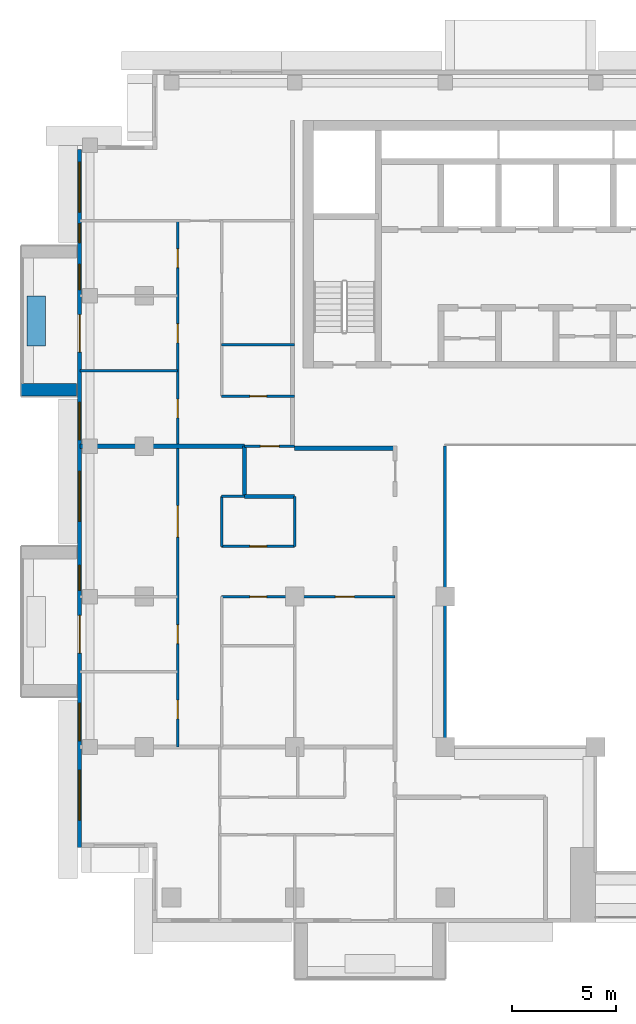
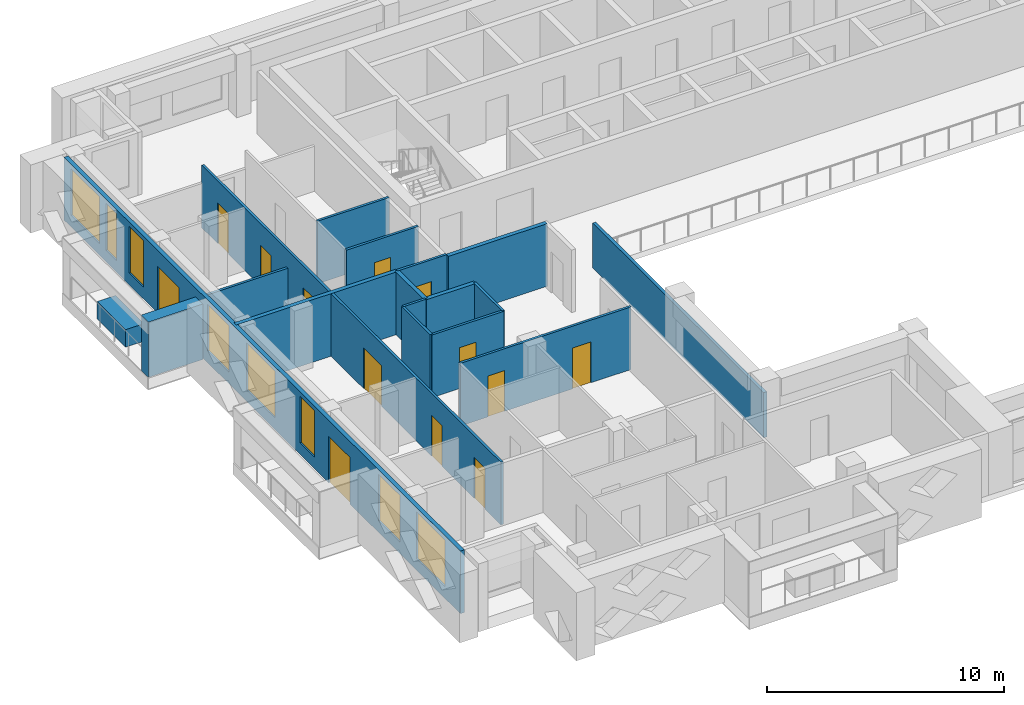
# One storey, part 7 of 19: 18 walls, 13 doors, 8 windows, 21 openings.
"""IFC4 building model written with IfcOpenShell, lengths in metres."""

from ifc_helpers import new_model, si_unit, direction, frame, frame_2d, origin, place, context, subcontext, project, spatial, rectangle, extrude, material, layer, layer_set, type_object, element, fill, save


model = new_model("IFC4")

# Units and contexts
model_context = context("Model", 3, precision=1e-05, world=origin(), true_north=direction((0.0, 1.0)))
body_context = subcontext(model_context, "Body", "Model", "MODEL_VIEW")
ifc_project = project(units=[si_unit("LENGTHUNIT", "METRE"), si_unit("AREAUNIT", "SQUARE_METRE"), si_unit("VOLUMEUNIT", "CUBIC_METRE"), si_unit("PLANEANGLEUNIT", "RADIAN"), si_unit("MASSUNIT", "GRAM", prefix="KILO")], contexts=[model_context])

# Site, building, storey
site_placement = place(None, origin())
site = spatial("IfcSite", under=ifc_project, at=site_placement, CompositionType="ELEMENT")
building_placement = place(site_placement, origin())
building = spatial("IfcBuilding", under=site, at=building_placement, Name="Saffron Iwan Residences", CompositionType="ELEMENT")
storey_placement = place(building_placement, frame((0.0, 0.0, 222.0)))
storey = spatial("IfcBuildingStorey", under=building, at=storey_placement, Name="L59", CompositionType="ELEMENT", Elevation=222.0)

# Walls
ifc_material_1 = material(Name="Fire-rated glazing", Category="glass")
ifc_layer_1 = layer(ifc_material_1, 0.14990234375)
ifc_layer_set_1 = layer_set([ifc_layer_1], Name="Fire-rated glazing")
wall_type_1 = type_object("IfcWallType", Name="Atrium glazed screen 150", PredefinedType="SOLIDWALL", material=ifc_layer_set_1)
wall_1_placement = place(storey_placement, frame((36.0, 48.0, 0.0), z_axis=(0.0, 0.0, 1.0), x_axis=(0.0, 1.0, 0.0)))
element("IfcWall", 1, at=wall_1_placement, inside=storey, type_object=wall_type_1, Name="W-L59-SCREEN-v36-48", PredefinedType="SOLIDWALL", context=body_context, shape_type="SweptSolid", body=[
    extrude(rectangle(XDim=14.39990234375, YDim=0.14990234375, at=frame_2d((7.199951171875, 0.0))), origin(), (0.0, 0.0, 1.0), 2.320068359375),
])
ifc_material_2 = material(Name="Concrete C50/60 white painted", Category="concrete")
ifc_layer_2 = layer(ifc_material_2, 0.60009765625)
ifc_layer_set_2 = layer_set([ifc_layer_2], Name="Concrete C50/60 white painted")
wall_type_2 = type_object("IfcWallType", Name="BALCONY FIN 600", PredefinedType="SOLIDWALL", material=ifc_layer_set_2)
wall_2_placement = place(storey_placement, frame((18.35009765625, 65.10009765625, 0.0), z_axis=(0.0, 0.0, 1.0), x_axis=(-1.0, 0.0, 0.0)))
element("IfcWall", 2, at=wall_2_placement, inside=storey, type_object=wall_type_2, Name="Balcony fin L59 F8-0b", PredefinedType="SOLIDWALL", context=body_context, shape_type="SweptSolid", body=[
    extrude(rectangle(XDim=2.650146484375, YDim=0.60009765625, at=frame_2d((1.3251953125, 0.0))), origin(), (0.0, 0.0, 1.0), 2.85009765625),
])
ifc_material_3 = material(Name="Concrete C35/45 white painted", Category="concrete")
ifc_layer_3 = layer(ifc_material_3, 0.14990234375)
ifc_layer_set_3 = layer_set([ifc_layer_3], Name="Concrete C35/45 white painted")
wall_type_3 = type_object("IfcWallType", Name="BALCONY PLANTER", PredefinedType="SOLIDWALL", material=ifc_layer_set_3)
wall_3_placement = place(storey_placement, frame((16.425048828125, 69.60009765625, 0.0), z_axis=(0.0, 0.0, 1.0), x_axis=(0.0, -1.0, 0.0)))
element("IfcWall", 3, at=wall_3_placement, inside=storey, type_object=wall_type_3, Name="PLANTER L59 F8-0", PredefinedType="SOLIDWALL", context=body_context, shape_type="SweptSolid", body=[
    extrude(rectangle(XDim=2.400146484375, YDim=0.89990234375, at=frame_2d((1.2001953125, 0.0))), origin(), (0.0, 0.0, 1.0), 0.89990234375),
])

# Wall, openings, doors, windows
ifc_material_4 = material(Name="Concrete C40/50", Category="concrete")
ifc_layer_4 = layer(ifc_material_4, 0.199951171875)
ifc_layer_set_4 = layer_set([ifc_layer_4], Name="Concrete C40/50")
wall_type_4 = type_object("IfcWallType", Name="EXTERNAL WALL 200", PredefinedType="SOLIDWALL", material=ifc_layer_set_4)
wall_4_placement = place(storey_placement, frame((18.5, 76.60009765625, 0.0), z_axis=(0.0, 0.0, 1.0), x_axis=(0.0, -1.0, 0.0)))
wall_4 = element("IfcWall", 4, at=wall_4_placement, inside=storey, type_object=wall_type_4, Name="External wall L59 F8.0", PredefinedType="SOLIDWALL", context=body_context, shape_type="SweptSolid", body=[
    extrude(rectangle(XDim=33.400146484375, YDim=0.199951171875, at=frame_2d((16.7001953125, 0.0))), origin(), (0.0, 0.0, 1.0), 3.219970703125),
])
opening_1_placement = place(wall_4_placement, frame((7.89990234375, 0.0, 0.0)))
opening_1 = element("IfcOpeningElement", 5, at=opening_1_placement, cuts=wall_4, Name="Opening BD1", PredefinedType="OPENING", context=body_context, shape_type="SweptSolid", body=[
    extrude(rectangle(XDim=1.800048828125, YDim=2.39990234375, at=frame_2d((0.89990234375, 1.199951171875))), frame((0.0, 0.10986328125, 0.0), z_axis=(0.0, -1.0, 0.0), x_axis=(1.0, 0.0, 0.0)), (0.0, 0.0, 1.0), 0.219970703125),
])
opening_2_placement = place(wall_4_placement, frame((22.300048828125, 0.0, 0.0)))
opening_2 = element("IfcOpeningElement", 6, at=opening_2_placement, cuts=wall_4, Name="Opening BD1", PredefinedType="OPENING", context=body_context, shape_type="SweptSolid", body=[
    extrude(rectangle(XDim=1.800048828125, YDim=2.39990234375, at=frame_2d((0.89990234375, 1.199951171875))), frame((0.0, 0.10986328125, 0.0), z_axis=(0.0, -1.0, 0.0), x_axis=(1.0, 0.0, 0.0)), (0.0, 0.0, 1.0), 0.219970703125),
])
opening_3_placement = place(wall_4_placement, frame((29.699951171875, 0.0, 0.60009765625)))
opening_3 = element("IfcOpeningElement", 7, at=opening_3_placement, cuts=wall_4, Name="Opening W1", PredefinedType="OPENING", context=body_context, shape_type="SweptSolid", body=[
    extrude(rectangle(XDim=2.39990234375, YDim=2.39990234375, at=frame_2d((1.199951171875, 1.199951171875))), frame((0.0, 0.10986328125, 0.0), z_axis=(0.0, -1.0, 0.0), x_axis=(1.0, 0.0, 0.0)), (0.0, 0.0, 1.0), 0.219970703125),
])
opening_4_placement = place(wall_4_placement, frame((26.5, 0.0, 0.60009765625)))
opening_4 = element("IfcOpeningElement", 8, at=opening_4_placement, cuts=wall_4, Name="Opening W8", PredefinedType="OPENING", context=body_context, shape_type="SweptSolid", body=[
    extrude(rectangle(XDim=1.800048828125, YDim=2.39990234375, at=frame_2d((0.89990234375, 1.199951171875))), frame((0.0, 0.10986328125, 0.0), z_axis=(0.0, -1.0, 0.0), x_axis=(1.0, 0.0, 0.0)), (0.0, 0.0, 1.0), 0.219970703125),
])
opening_5_placement = place(wall_4_placement, frame((15.39990234375, 0.0, 0.60009765625)))
opening_5 = element("IfcOpeningElement", 9, at=opening_5_placement, cuts=wall_4, Name="Opening W1", PredefinedType="OPENING", context=body_context, shape_type="SweptSolid", body=[
    extrude(rectangle(XDim=2.39990234375, YDim=2.39990234375, at=frame_2d((1.199951171875, 1.199951171875))), frame((0.0, 0.10986328125, 0.0), z_axis=(0.0, -1.0, 0.0), x_axis=(1.0, 0.0, 0.0)), (0.0, 0.0, 1.0), 0.219970703125),
])
opening_6_placement = place(wall_4_placement, frame((19.89990234375, 0.0, 0.60009765625)))
opening_6 = element("IfcOpeningElement", 10, at=opening_6_placement, cuts=wall_4, Name="Opening W3", PredefinedType="OPENING", context=body_context, shape_type="SweptSolid", body=[
    extrude(rectangle(XDim=1.199951171875, YDim=2.39990234375, at=frame_2d((0.60009765625, 1.199951171875))), frame((0.0, 0.10986328125, 0.0), z_axis=(0.0, -1.0, 0.0), x_axis=(1.0, 0.0, 0.0)), (0.0, 0.0, 1.0), 0.219970703125),
])
opening_7_placement = place(wall_4_placement, frame((12.10009765625, 0.0, 0.60009765625)))
opening_7 = element("IfcOpeningElement", 11, at=opening_7_placement, cuts=wall_4, Name="Opening W8", PredefinedType="OPENING", context=body_context, shape_type="SweptSolid", body=[
    extrude(rectangle(XDim=1.800048828125, YDim=2.39990234375, at=frame_2d((0.89990234375, 1.199951171875))), frame((0.0, 0.10986328125, 0.0), z_axis=(0.0, -1.0, 0.0), x_axis=(1.0, 0.0, 0.0)), (0.0, 0.0, 1.0), 0.219970703125),
])
opening_8_placement = place(wall_4_placement, frame((3.550048828125, 0.0, 0.60009765625)))
opening_8 = element("IfcOpeningElement", 12, at=opening_8_placement, cuts=wall_4, Name="Opening W10", PredefinedType="OPENING", context=body_context, shape_type="SweptSolid", body=[
    extrude(rectangle(XDim=0.89990234375, YDim=2.39990234375, at=frame_2d((0.449951171875, 1.199951171875))), frame((0.0, 0.10986328125, 0.0), z_axis=(0.0, -1.0, 0.0), x_axis=(1.0, 0.0, 0.0)), (0.0, 0.0, 1.0), 0.219970703125),
])
opening_9_placement = place(wall_4_placement, frame((5.5, 0.0, 0.60009765625)))
opening_9 = element("IfcOpeningElement", 13, at=opening_9_placement, cuts=wall_4, Name="Opening W3", PredefinedType="OPENING", context=body_context, shape_type="SweptSolid", body=[
    extrude(rectangle(XDim=1.199951171875, YDim=2.39990234375, at=frame_2d((0.60009765625, 1.199951171875))), frame((0.0, 0.10986328125, 0.0), z_axis=(0.0, -1.0, 0.0), x_axis=(1.0, 0.0, 0.0)), (0.0, 0.0, 1.0), 0.219970703125),
])
opening_10_placement = place(wall_4_placement, frame((0.60009765625, 0.0, 0.60009765625)))
opening_10 = element("IfcOpeningElement", 14, at=opening_10_placement, cuts=wall_4, Name="Opening W1", PredefinedType="OPENING", context=body_context, shape_type="SweptSolid", body=[
    extrude(rectangle(XDim=2.39990234375, YDim=2.39990234375, at=frame_2d((1.199951171875, 1.199951171875))), frame((0.0, 0.10986328125, 0.0), z_axis=(0.0, -1.0, 0.0), x_axis=(1.0, 0.0, 0.0)), (0.0, 0.0, 1.0), 0.219970703125),
])
ifc_material_5 = material(Name="Clear glass, laminated double glazed", Category="glass")
door_type_1 = type_object("IfcDoorType", Name="BALCONY DOOR 1800 x 2400", OperationType="DOUBLE_DOOR_SLIDING", PredefinedType="DOOR", material=ifc_material_5)
door_1_placement = place(opening_1_placement, origin())
door_1 = element("IfcDoor", 15, at=door_1_placement, inside=storey, type_object=door_type_1, Name="Balcony door L59 F8.0", OperationType="DOUBLE_DOOR_SLIDING", OverallHeight=2.39990234375, OverallWidth=1.800048828125, PredefinedType="DOOR", context=body_context, shape_type="SweptSolid", body=[
    extrude(rectangle(XDim=1.800048828125, YDim=2.39990234375, at=frame_2d((0.89990234375, 1.199951171875))), frame((0.0, 0.02490234375, 0.0), z_axis=(0.0, -1.0, 0.0), x_axis=(1.0, 0.0, 0.0)), (0.0, 0.0, 1.0), 0.050048828125),
])
fill(opening_1, door_1)
door_2_placement = place(opening_2_placement, origin())
door_2 = element("IfcDoor", 16, at=door_2_placement, inside=storey, type_object=door_type_1, Name="Balcony door L59 F8.1", OperationType="DOUBLE_DOOR_SLIDING", OverallHeight=2.39990234375, OverallWidth=1.800048828125, PredefinedType="DOOR", context=body_context, shape_type="SweptSolid", body=[
    extrude(rectangle(XDim=1.800048828125, YDim=2.39990234375, at=frame_2d((0.89990234375, 1.199951171875))), frame((0.0, 0.02490234375, 0.0), z_axis=(0.0, -1.0, 0.0), x_axis=(1.0, 0.0, 0.0)), (0.0, 0.0, 1.0), 0.050048828125),
])
fill(opening_2, door_2)
window_type_1 = type_object("IfcWindowType", Name="WINDOW 1200 x 2400", PartitioningType="SINGLE_PANEL", PredefinedType="WINDOW", material=ifc_material_5)
window_1_placement = place(opening_6_placement, origin())
window_1 = element("IfcWindow", 17, at=window_1_placement, inside=storey, type_object=window_type_1, Name="Window L59 F8.5", OverallHeight=2.39990234375, OverallWidth=1.199951171875, PartitioningType="SINGLE_PANEL", PredefinedType="WINDOW", context=body_context, shape_type="SweptSolid", body=[
    extrude(rectangle(XDim=1.199951171875, YDim=2.39990234375, at=frame_2d((0.60009765625, 1.199951171875))), frame((0.0, 0.030029296875, 0.0), z_axis=(0.0, -1.0, 0.0), x_axis=(1.0, 0.0, 0.0)), (0.0, 0.0, 1.0), 0.06005859375),
])
fill(opening_6, window_1)
window_2_placement = place(opening_9_placement, origin())
window_2 = element("IfcWindow", 18, at=window_2_placement, inside=storey, type_object=window_type_1, Name="Window L59 F8.8", OverallHeight=2.39990234375, OverallWidth=1.199951171875, PartitioningType="SINGLE_PANEL", PredefinedType="WINDOW", context=body_context, shape_type="SweptSolid", body=[
    extrude(rectangle(XDim=1.199951171875, YDim=2.39990234375, at=frame_2d((0.60009765625, 1.199951171875))), frame((0.0, 0.030029296875, 0.0), z_axis=(0.0, -1.0, 0.0), x_axis=(1.0, 0.0, 0.0)), (0.0, 0.0, 1.0), 0.06005859375),
])
fill(opening_9, window_2)
window_type_2 = type_object("IfcWindowType", Name="WINDOW 1800 x 2400", PartitioningType="DOUBLE_PANEL_VERTICAL", PredefinedType="WINDOW", material=ifc_material_5)
window_3_placement = place(opening_4_placement, origin())
window_3 = element("IfcWindow", 19, at=window_3_placement, inside=storey, type_object=window_type_2, Name="Window L59 F8.3", OverallHeight=2.39990234375, OverallWidth=1.800048828125, PartitioningType="DOUBLE_PANEL_VERTICAL", PredefinedType="WINDOW", context=body_context, shape_type="SweptSolid", body=[
    extrude(rectangle(XDim=1.800048828125, YDim=2.39990234375, at=frame_2d((0.89990234375, 1.199951171875))), frame((0.0, 0.030029296875, 0.0), z_axis=(0.0, -1.0, 0.0), x_axis=(1.0, 0.0, 0.0)), (0.0, 0.0, 1.0), 0.06005859375),
])
fill(opening_4, window_3)
window_4_placement = place(opening_7_placement, origin())
window_4 = element("IfcWindow", 20, at=window_4_placement, inside=storey, type_object=window_type_2, Name="Window L59 F8.6", OverallHeight=2.39990234375, OverallWidth=1.800048828125, PartitioningType="DOUBLE_PANEL_VERTICAL", PredefinedType="WINDOW", context=body_context, shape_type="SweptSolid", body=[
    extrude(rectangle(XDim=1.800048828125, YDim=2.39990234375, at=frame_2d((0.89990234375, 1.199951171875))), frame((0.0, 0.030029296875, 0.0), z_axis=(0.0, -1.0, 0.0), x_axis=(1.0, 0.0, 0.0)), (0.0, 0.0, 1.0), 0.06005859375),
])
fill(opening_7, window_4)
window_type_3 = type_object("IfcWindowType", Name="WINDOW 2400 x 2400", PartitioningType="DOUBLE_PANEL_VERTICAL", PredefinedType="WINDOW", material=ifc_material_5)
window_5_placement = place(opening_3_placement, origin())
window_5 = element("IfcWindow", 21, at=window_5_placement, inside=storey, type_object=window_type_3, Name="Window L59 F8.2", OverallHeight=2.39990234375, OverallWidth=2.39990234375, PartitioningType="DOUBLE_PANEL_VERTICAL", PredefinedType="WINDOW", context=body_context, shape_type="SweptSolid", body=[
    extrude(rectangle(XDim=2.39990234375, YDim=2.39990234375, at=frame_2d((1.199951171875, 1.199951171875))), frame((0.0, 0.030029296875, 0.0), z_axis=(0.0, -1.0, 0.0), x_axis=(1.0, 0.0, 0.0)), (0.0, 0.0, 1.0), 0.06005859375),
])
fill(opening_3, window_5)
window_6_placement = place(opening_5_placement, origin())
window_6 = element("IfcWindow", 22, at=window_6_placement, inside=storey, type_object=window_type_3, Name="Window L59 F8.4", OverallHeight=2.39990234375, OverallWidth=2.39990234375, PartitioningType="DOUBLE_PANEL_VERTICAL", PredefinedType="WINDOW", context=body_context, shape_type="SweptSolid", body=[
    extrude(rectangle(XDim=2.39990234375, YDim=2.39990234375, at=frame_2d((1.199951171875, 1.199951171875))), frame((0.0, 0.030029296875, 0.0), z_axis=(0.0, -1.0, 0.0), x_axis=(1.0, 0.0, 0.0)), (0.0, 0.0, 1.0), 0.06005859375),
])
fill(opening_5, window_6)
window_7_placement = place(opening_10_placement, origin())
window_7 = element("IfcWindow", 23, at=window_7_placement, inside=storey, type_object=window_type_3, Name="Window L59 F8.9", OverallHeight=2.39990234375, OverallWidth=2.39990234375, PartitioningType="DOUBLE_PANEL_VERTICAL", PredefinedType="WINDOW", context=body_context, shape_type="SweptSolid", body=[
    extrude(rectangle(XDim=2.39990234375, YDim=2.39990234375, at=frame_2d((1.199951171875, 1.199951171875))), frame((0.0, 0.030029296875, 0.0), z_axis=(0.0, -1.0, 0.0), x_axis=(1.0, 0.0, 0.0)), (0.0, 0.0, 1.0), 0.06005859375),
])
fill(opening_10, window_7)
window_type_4 = type_object("IfcWindowType", Name="WINDOW 900 x 2400", PartitioningType="SINGLE_PANEL", PredefinedType="WINDOW", material=ifc_material_5)
window_8_placement = place(opening_8_placement, origin())
window_8 = element("IfcWindow", 24, at=window_8_placement, inside=storey, type_object=window_type_4, Name="Window L59 F8.7", OverallHeight=2.39990234375, OverallWidth=0.89990234375, PartitioningType="SINGLE_PANEL", PredefinedType="WINDOW", context=body_context, shape_type="SweptSolid", body=[
    extrude(rectangle(XDim=0.89990234375, YDim=2.39990234375, at=frame_2d((0.449951171875, 1.199951171875))), frame((0.0, 0.030029296875, 0.0), z_axis=(0.0, -1.0, 0.0), x_axis=(1.0, 0.0, 0.0)), (0.0, 0.0, 1.0), 0.06005859375),
])
fill(opening_8, window_8)

# Walls
ifc_material_6 = material(Name="Fire-rated gypsum board wall")
ifc_layer_5 = layer(ifc_material_6, 0.199951171875)
ifc_layer_set_5 = layer_set([ifc_layer_5], Name="Fire-rated gypsum board wall")
wall_type_5 = type_object("IfcWallType", Name="Flat demising wall 200", PredefinedType="SOLIDWALL", material=ifc_layer_set_5)
wall_5_placement = place(storey_placement, frame((26.39990234375, 60.0, 0.0), z_axis=(0.0, 0.0, 1.0), x_axis=(1.0, 0.0, 0.0)))
element("IfcWall", 25, at=wall_5_placement, inside=storey, type_object=wall_type_5, Name="W-L59-DEMISE-h60-26.4", PredefinedType="SOLIDWALL", context=body_context, shape_type="SweptSolid", body=[
    extrude(rectangle(XDim=2.400146484375, YDim=0.199951171875, at=frame_2d((1.2001953125, 0.0))), origin(), (0.0, 0.0, 1.0), 3.219970703125),
])
wall_6_placement = place(storey_placement, frame((18.52490234375, 62.39990234375, 0.0), z_axis=(0.0, 0.0, 1.0), x_axis=(1.0, 0.0, 0.0)))
element("IfcWall", 26, at=wall_6_placement, inside=storey, type_object=wall_type_5, Name="W-L59-DEMISE-h62.4-18.525", PredefinedType="SOLIDWALL", context=body_context, shape_type="SweptSolid", body=[
    extrude(rectangle(XDim=7.875, YDim=0.199951171875, at=frame_2d((3.9375, 0.0))), origin(), (0.0, 0.0, 1.0), 3.219970703125),
])
wall_7_placement = place(storey_placement, frame((26.39990234375, 60.0, 0.0), z_axis=(0.0, 0.0, 1.0), x_axis=(0.0, 1.0, 0.0)))
element("IfcWall", 27, at=wall_7_placement, inside=storey, type_object=wall_type_5, Name="W-L59-DEMISE-v26.4-60", PredefinedType="SOLIDWALL", context=body_context, shape_type="SweptSolid", body=[
    extrude(rectangle(XDim=2.39990234375, YDim=0.199951171875, at=frame_2d((1.199951171875, 0.0))), origin(), (0.0, 0.0, 1.0), 3.219970703125),
])

# Wall, openings, doors
ifc_material_7 = material(Name="Gypsum board partition")
ifc_layer_6 = layer(ifc_material_7, 0.1201171875)
ifc_layer_set_6 = layer_set([ifc_layer_6], Name="Gypsum board partition")
wall_type_6 = type_object("IfcWallType", Name="Flat partition 120", PredefinedType="PARTITIONING", material=ifc_layer_set_6)
wall_8_placement = place(storey_placement, frame((25.300048828125, 55.199951171875, 0.0), z_axis=(0.0, 0.0, 1.0), x_axis=(1.0, 0.0, 0.0)))
wall_8 = element("IfcWall", 28, at=wall_8_placement, inside=storey, type_object=wall_type_6, Name="W-L59-PART-h55.2-25.3", PredefinedType="PARTITIONING", context=body_context, shape_type="SweptSolid", body=[
    extrude(rectangle(XDim=8.300048828125, YDim=0.1201171875, at=frame_2d((4.14990234375, 0.0))), origin(), (0.0, 0.0, 1.0), 3.219970703125),
])
opening_11_placement = place(wall_8_placement, frame((1.35009765625, 0.0, 0.0)))
opening_11 = element("IfcOpeningElement", 29, at=opening_11_placement, cuts=wall_8, Name="Opening FD3", PredefinedType="OPENING", context=body_context, shape_type="SweptSolid", body=[
    extrude(rectangle(XDim=0.800048828125, YDim=2.10009765625, at=frame_2d((0.39990234375, 1.050048828125))), frame((0.0, 0.070068359375, 0.0), z_axis=(0.0, -1.0, 0.0), x_axis=(1.0, 0.0, 0.0)), (0.0, 0.0, 1.0), 0.14013671875),
])
opening_12_placement = place(wall_8_placement, frame((5.449951171875, 0.0, 0.0)))
opening_12 = element("IfcOpeningElement", 30, at=opening_12_placement, cuts=wall_8, Name="Opening FD2", PredefinedType="OPENING", context=body_context, shape_type="SweptSolid", body=[
    extrude(rectangle(XDim=0.89990234375, YDim=2.10009765625, at=frame_2d((0.449951171875, 1.050048828125))), frame((0.0, 0.070068359375, 0.0), z_axis=(0.0, -1.0, 0.0), x_axis=(1.0, 0.0, 0.0)), (0.0, 0.0, 1.0), 0.14013671875),
])
ifc_material_8 = material(Name="Timber door", Category="wood")
door_type_2 = type_object("IfcDoorType", Name="Bathroom door 800", OperationType="NOTDEFINED", PredefinedType="DOOR", material=ifc_material_8)
door_3_placement = place(opening_11_placement, origin())
door_3 = element("IfcDoor", 31, at=door_3_placement, inside=storey, type_object=door_type_2, Name="Door L59-013", OperationType="SINGLE_SWING_LEFT", OverallHeight=2.10009765625, OverallWidth=0.800048828125, PredefinedType="DOOR", context=body_context, shape_type="SweptSolid", body=[
    extrude(rectangle(XDim=0.800048828125, YDim=2.10009765625, at=frame_2d((0.39990234375, 1.050048828125))), frame((0.0, 0.02490234375, 0.0), z_axis=(0.0, -1.0, 0.0), x_axis=(1.0, 0.0, 0.0)), (0.0, 0.0, 1.0), 0.050048828125),
])
fill(opening_11, door_3)
door_type_3 = type_object("IfcDoorType", Name="Flat door 900", OperationType="NOTDEFINED", PredefinedType="DOOR", material=ifc_material_8)
door_4_placement = place(opening_12_placement, origin())
door_4 = element("IfcDoor", 32, at=door_4_placement, inside=storey, type_object=door_type_3, Name="Door L59-015", OperationType="SINGLE_SWING_LEFT", OverallHeight=2.10009765625, OverallWidth=0.89990234375, PredefinedType="DOOR", context=body_context, shape_type="SweptSolid", body=[
    extrude(rectangle(XDim=0.89990234375, YDim=2.10009765625, at=frame_2d((0.449951171875, 1.050048828125))), frame((0.0, 0.02490234375, 0.0), z_axis=(0.0, -1.0, 0.0), x_axis=(1.0, 0.0, 0.0)), (0.0, 0.0, 1.0), 0.050048828125),
])
fill(opening_12, door_4)

# Wall, opening, door
wall_9_placement = place(storey_placement, frame((25.300048828125, 57.60009765625, 0.0), z_axis=(0.0, 0.0, 1.0), x_axis=(1.0, 0.0, 0.0)))
wall_9 = element("IfcWall", 33, at=wall_9_placement, inside=storey, type_object=wall_type_6, Name="W-L59-PART-h57.6-25.3", PredefinedType="PARTITIONING", context=body_context, shape_type="SweptSolid", body=[
    extrude(rectangle(XDim=3.5, YDim=0.1201171875, at=frame_2d((1.75, 0.0))), origin(), (0.0, 0.0, 1.0), 3.219970703125),
])
opening_13_placement = place(wall_9_placement, frame((1.35009765625, 0.0, 0.0)))
opening_13 = element("IfcOpeningElement", 34, at=opening_13_placement, cuts=wall_9, Name="Opening FD3", PredefinedType="OPENING", context=body_context, shape_type="SweptSolid", body=[
    extrude(rectangle(XDim=0.800048828125, YDim=2.10009765625, at=frame_2d((0.39990234375, 1.050048828125))), frame((0.0, 0.070068359375, 0.0), z_axis=(0.0, -1.0, 0.0), x_axis=(1.0, 0.0, 0.0)), (0.0, 0.0, 1.0), 0.14013671875),
])
door_5_placement = place(opening_13_placement, origin())
door_5 = element("IfcDoor", 35, at=door_5_placement, inside=storey, type_object=door_type_2, Name="Door L59-014", OperationType="SINGLE_SWING_RIGHT", OverallHeight=2.10009765625, OverallWidth=0.800048828125, PredefinedType="DOOR", context=body_context, shape_type="SweptSolid", body=[
    extrude(rectangle(XDim=0.800048828125, YDim=2.10009765625, at=frame_2d((0.39990234375, 1.050048828125))), frame((0.0, 0.02490234375, 0.0), z_axis=(0.0, -1.0, 0.0), x_axis=(1.0, 0.0, 0.0)), (0.0, 0.0, 1.0), 0.050048828125),
])
fill(opening_13, door_5)

# Wall
wall_10_placement = place(storey_placement, frame((25.300048828125, 60.0, 0.0), z_axis=(0.0, 0.0, 1.0), x_axis=(1.0, 0.0, 0.0)))
element("IfcWall", 36, at=wall_10_placement, inside=storey, type_object=wall_type_6, Name="W-L59-PART-h60-25.3", PredefinedType="PARTITIONING", context=body_context, shape_type="SweptSolid", body=[
    extrude(rectangle(XDim=1.099853515625, YDim=0.1201171875, at=frame_2d((0.5498046875, 0.0))), origin(), (0.0, 0.0, 1.0), 3.219970703125),
])

# Wall, opening, door
wall_11_placement = place(storey_placement, frame((26.39990234375, 62.39990234375, 0.0), z_axis=(0.0, 0.0, 1.0), x_axis=(1.0, 0.0, 0.0)))
wall_11 = element("IfcWall", 37, at=wall_11_placement, inside=storey, type_object=wall_type_6, Name="W-L59-PART-h62.4-26.4", PredefinedType="PARTITIONING", context=body_context, shape_type="SweptSolid", body=[
    extrude(rectangle(XDim=2.400146484375, YDim=0.1201171875, at=frame_2d((1.2001953125, 0.0))), origin(), (0.0, 0.0, 1.0), 3.219970703125),
])
opening_14_placement = place(wall_11_placement, frame((0.75, 0.0, 0.0)))
opening_14 = element("IfcOpeningElement", 38, at=opening_14_placement, cuts=wall_11, Name="Opening FD2", PredefinedType="OPENING", context=body_context, shape_type="SweptSolid", body=[
    extrude(rectangle(XDim=0.89990234375, YDim=2.10009765625, at=frame_2d((0.449951171875, 1.050048828125))), frame((0.0, 0.070068359375, 0.0), z_axis=(0.0, -1.0, 0.0), x_axis=(1.0, 0.0, 0.0)), (0.0, 0.0, 1.0), 0.14013671875),
])
door_6_placement = place(opening_14_placement, origin())
door_6 = element("IfcDoor", 39, at=door_6_placement, inside=storey, type_object=door_type_3, Name="Door L59-024", OperationType="SINGLE_SWING_LEFT", OverallHeight=2.10009765625, OverallWidth=0.89990234375, PredefinedType="DOOR", context=body_context, shape_type="SweptSolid", body=[
    extrude(rectangle(XDim=0.89990234375, YDim=2.10009765625, at=frame_2d((0.449951171875, 1.050048828125))), frame((0.0, 0.02490234375, 0.0), z_axis=(0.0, -1.0, 0.0), x_axis=(1.0, 0.0, 0.0)), (0.0, 0.0, 1.0), 0.050048828125),
])
fill(opening_14, door_6)

wall_12_placement = place(storey_placement, frame((25.300048828125, 64.800048828125, 0.0), z_axis=(0.0, 0.0, 1.0), x_axis=(1.0, 0.0, 0.0)))
wall_12 = element("IfcWall", 40, at=wall_12_placement, inside=storey, type_object=wall_type_6, Name="W-L59-PART-h64.8-25.3", PredefinedType="PARTITIONING", context=body_context, shape_type="SweptSolid", body=[
    extrude(rectangle(XDim=3.5, YDim=0.1201171875, at=frame_2d((1.75, 0.0))), origin(), (0.0, 0.0, 1.0), 3.219970703125),
])
opening_15_placement = place(wall_12_placement, frame((1.35009765625, 0.0, 0.0)))
opening_15 = element("IfcOpeningElement", 41, at=opening_15_placement, cuts=wall_12, Name="Opening FD3", PredefinedType="OPENING", context=body_context, shape_type="SweptSolid", body=[
    extrude(rectangle(XDim=0.800048828125, YDim=2.10009765625, at=frame_2d((0.39990234375, 1.050048828125))), frame((0.0, 0.070068359375, 0.0), z_axis=(0.0, -1.0, 0.0), x_axis=(1.0, 0.0, 0.0)), (0.0, 0.0, 1.0), 0.14013671875),
])
door_7_placement = place(opening_15_placement, origin())
door_7 = element("IfcDoor", 42, at=door_7_placement, inside=storey, type_object=door_type_2, Name="Door L59-030", OperationType="SINGLE_SWING_LEFT", OverallHeight=2.10009765625, OverallWidth=0.800048828125, PredefinedType="DOOR", context=body_context, shape_type="SweptSolid", body=[
    extrude(rectangle(XDim=0.800048828125, YDim=2.10009765625, at=frame_2d((0.39990234375, 1.050048828125))), frame((0.0, 0.02490234375, 0.0), z_axis=(0.0, -1.0, 0.0), x_axis=(1.0, 0.0, 0.0)), (0.0, 0.0, 1.0), 0.050048828125),
])
fill(opening_15, door_7)

# Walls
wall_13_placement = place(storey_placement, frame((18.52490234375, 66.0, 0.0), z_axis=(0.0, 0.0, 1.0), x_axis=(1.0, 0.0, 0.0)))
element("IfcWall", 43, at=wall_13_placement, inside=storey, type_object=wall_type_6, Name="W-L59-PART-h66-18.525", PredefinedType="PARTITIONING", context=body_context, shape_type="SweptSolid", body=[
    extrude(rectangle(XDim=4.675048828125, YDim=0.1201171875, at=frame_2d((2.33740234375, 0.0))), origin(), (0.0, 0.0, 1.0), 2.320068359375),
])
wall_14_placement = place(storey_placement, frame((25.300048828125, 67.25, 0.0), z_axis=(0.0, 0.0, 1.0), x_axis=(1.0, 0.0, 0.0)))
element("IfcWall", 44, at=wall_14_placement, inside=storey, type_object=wall_type_6, Name="W-L59-PART-h67.25-25.3", PredefinedType="PARTITIONING", context=body_context, shape_type="SweptSolid", body=[
    extrude(rectangle(XDim=3.5, YDim=0.1201171875, at=frame_2d((1.75, 0.0))), origin(), (0.0, 0.0, 1.0), 3.219970703125),
])

# Wall, openings, doors
wall_15_placement = place(storey_placement, frame((23.199951171875, 48.0, 0.0), z_axis=(0.0, 0.0, 1.0), x_axis=(0.0, 1.0, 0.0)))
wall_15 = element("IfcWall", 45, at=wall_15_placement, inside=storey, type_object=wall_type_6, Name="W-L59-PART-v23.2-48", PredefinedType="PARTITIONING", context=body_context, shape_type="SweptSolid", body=[
    extrude(rectangle(XDim=25.199951171875, YDim=0.1201171875, at=frame_2d((12.60009765625, 0.0))), origin(), (0.0, 0.0, 1.0), 3.219970703125),
])
opening_16_placement = place(wall_15_placement, frame((1.35009765625, 0.0, 0.0)))
opening_16 = element("IfcOpeningElement", 46, at=opening_16_placement, cuts=wall_15, Name="Opening FD2", PredefinedType="OPENING", context=body_context, shape_type="SweptSolid", body=[
    extrude(rectangle(XDim=0.89990234375, YDim=2.10009765625, at=frame_2d((0.449951171875, 1.050048828125))), frame((0.0, 0.070068359375, 0.0), z_axis=(0.0, -1.0, 0.0), x_axis=(1.0, 0.0, 0.0)), (0.0, 0.0, 1.0), 0.14013671875),
])
opening_17_placement = place(wall_15_placement, frame((4.949951171875, 0.0, 0.0)))
opening_17 = element("IfcOpeningElement", 47, at=opening_17_placement, cuts=wall_15, Name="Opening FD2", PredefinedType="OPENING", context=body_context, shape_type="SweptSolid", body=[
    extrude(rectangle(XDim=0.89990234375, YDim=2.10009765625, at=frame_2d((0.449951171875, 1.050048828125))), frame((0.0, 0.070068359375, 0.0), z_axis=(0.0, -1.0, 0.0), x_axis=(1.0, 0.0, 0.0)), (0.0, 0.0, 1.0), 0.14013671875),
])
opening_18_placement = place(wall_15_placement, frame((10.050048828125, 0.0, 0.0)))
opening_18 = element("IfcOpeningElement", 48, at=opening_18_placement, cuts=wall_15, Name="Opening FD4", PredefinedType="OPENING", context=body_context, shape_type="SweptSolid", body=[
    extrude(rectangle(XDim=1.5, YDim=2.10009765625, at=frame_2d((0.75, 1.050048828125))), frame((0.0, 0.070068359375, 0.0), z_axis=(0.0, -1.0, 0.0), x_axis=(1.0, 0.0, 0.0)), (0.0, 0.0, 1.0), 0.14013671875),
])
opening_19_placement = place(wall_15_placement, frame((15.75, 0.0, 0.0)))
opening_19 = element("IfcOpeningElement", 49, at=opening_19_placement, cuts=wall_15, Name="Opening FD2", PredefinedType="OPENING", context=body_context, shape_type="SweptSolid", body=[
    extrude(rectangle(XDim=0.89990234375, YDim=2.10009765625, at=frame_2d((0.449951171875, 1.050048828125))), frame((0.0, 0.070068359375, 0.0), z_axis=(0.0, -1.0, 0.0), x_axis=(1.0, 0.0, 0.0)), (0.0, 0.0, 1.0), 0.14013671875),
])
opening_20_placement = place(wall_15_placement, frame((19.35009765625, 0.0, 0.0)))
opening_20 = element("IfcOpeningElement", 50, at=opening_20_placement, cuts=wall_15, Name="Opening FD2", PredefinedType="OPENING", context=body_context, shape_type="SweptSolid", body=[
    extrude(rectangle(XDim=0.89990234375, YDim=2.10009765625, at=frame_2d((0.449951171875, 1.050048828125))), frame((0.0, 0.070068359375, 0.0), z_axis=(0.0, -1.0, 0.0), x_axis=(1.0, 0.0, 0.0)), (0.0, 0.0, 1.0), 0.14013671875),
])
opening_21_placement = place(wall_15_placement, frame((22.949951171875, 0.0, 0.0)))
opening_21 = element("IfcOpeningElement", 51, at=opening_21_placement, cuts=wall_15, Name="Opening FD2", PredefinedType="OPENING", context=body_context, shape_type="SweptSolid", body=[
    extrude(rectangle(XDim=0.89990234375, YDim=2.10009765625, at=frame_2d((0.449951171875, 1.050048828125))), frame((0.0, 0.070068359375, 0.0), z_axis=(0.0, -1.0, 0.0), x_axis=(1.0, 0.0, 0.0)), (0.0, 0.0, 1.0), 0.14013671875),
])
door_type_4 = type_object("IfcDoorType", Name="Double door 1500", OperationType="NOTDEFINED", PredefinedType="DOOR", material=ifc_material_8)
door_8_placement = place(opening_18_placement, origin())
door_8 = element("IfcDoor", 52, at=door_8_placement, inside=storey, type_object=door_type_4, Name="Door L59-011", OperationType="SINGLE_SWING_RIGHT", OverallHeight=2.10009765625, OverallWidth=1.5, PredefinedType="DOOR", context=body_context, shape_type="SweptSolid", body=[
    extrude(rectangle(XDim=1.5, YDim=2.10009765625, at=frame_2d((0.75, 1.050048828125))), frame((0.0, 0.02490234375, 0.0), z_axis=(0.0, -1.0, 0.0), x_axis=(1.0, 0.0, 0.0)), (0.0, 0.0, 1.0), 0.050048828125),
])
fill(opening_18, door_8)
door_9_placement = place(opening_16_placement, origin())
door_9 = element("IfcDoor", 53, at=door_9_placement, inside=storey, type_object=door_type_3, Name="Door L59-009", OperationType="SINGLE_SWING_LEFT", OverallHeight=2.10009765625, OverallWidth=0.89990234375, PredefinedType="DOOR", context=body_context, shape_type="SweptSolid", body=[
    extrude(rectangle(XDim=0.89990234375, YDim=2.10009765625, at=frame_2d((0.449951171875, 1.050048828125))), frame((0.0, 0.02490234375, 0.0), z_axis=(0.0, -1.0, 0.0), x_axis=(1.0, 0.0, 0.0)), (0.0, 0.0, 1.0), 0.050048828125),
])
fill(opening_16, door_9)
door_10_placement = place(opening_17_placement, origin())
door_10 = element("IfcDoor", 54, at=door_10_placement, inside=storey, type_object=door_type_3, Name="Door L59-010", OperationType="SINGLE_SWING_LEFT", OverallHeight=2.10009765625, OverallWidth=0.89990234375, PredefinedType="DOOR", context=body_context, shape_type="SweptSolid", body=[
    extrude(rectangle(XDim=0.89990234375, YDim=2.10009765625, at=frame_2d((0.449951171875, 1.050048828125))), frame((0.0, 0.02490234375, 0.0), z_axis=(0.0, -1.0, 0.0), x_axis=(1.0, 0.0, 0.0)), (0.0, 0.0, 1.0), 0.050048828125),
])
fill(opening_17, door_10)
door_11_placement = place(opening_19_placement, origin())
door_11 = element("IfcDoor", 55, at=door_11_placement, inside=storey, type_object=door_type_3, Name="Door L59-026", OperationType="SINGLE_SWING_RIGHT", OverallHeight=2.10009765625, OverallWidth=0.89990234375, PredefinedType="DOOR", context=body_context, shape_type="SweptSolid", body=[
    extrude(rectangle(XDim=0.89990234375, YDim=2.10009765625, at=frame_2d((0.449951171875, 1.050048828125))), frame((0.0, 0.02490234375, 0.0), z_axis=(0.0, -1.0, 0.0), x_axis=(1.0, 0.0, 0.0)), (0.0, 0.0, 1.0), 0.050048828125),
])
fill(opening_19, door_11)
door_12_placement = place(opening_20_placement, origin())
door_12 = element("IfcDoor", 56, at=door_12_placement, inside=storey, type_object=door_type_3, Name="Door L59-027", OperationType="SINGLE_SWING_LEFT", OverallHeight=2.10009765625, OverallWidth=0.89990234375, PredefinedType="DOOR", context=body_context, shape_type="SweptSolid", body=[
    extrude(rectangle(XDim=0.89990234375, YDim=2.10009765625, at=frame_2d((0.449951171875, 1.050048828125))), frame((0.0, 0.02490234375, 0.0), z_axis=(0.0, -1.0, 0.0), x_axis=(1.0, 0.0, 0.0)), (0.0, 0.0, 1.0), 0.050048828125),
])
fill(opening_20, door_12)
door_13_placement = place(opening_21_placement, origin())
door_13 = element("IfcDoor", 57, at=door_13_placement, inside=storey, type_object=door_type_3, Name="Door L59-028", OperationType="SINGLE_SWING_LEFT", OverallHeight=2.10009765625, OverallWidth=0.89990234375, PredefinedType="DOOR", context=body_context, shape_type="SweptSolid", body=[
    extrude(rectangle(XDim=0.89990234375, YDim=2.10009765625, at=frame_2d((0.449951171875, 1.050048828125))), frame((0.0, 0.02490234375, 0.0), z_axis=(0.0, -1.0, 0.0), x_axis=(1.0, 0.0, 0.0)), (0.0, 0.0, 1.0), 0.050048828125),
])
fill(opening_21, door_13)

# Walls
for number, where, z_axis, x_axis, name in (
    (58, (25.300048828125, 57.60009765625, 0.0), (0.0, 0.0, 1.0), (0.0, 1.0, 0.0), "W-L59-PART-v25.3-57.6"),
    (59, (28.800048828125, 57.60009765625, 0.0), (0.0, 0.0, 1.0), (0.0, 1.0, 0.0), "W-L59-PART-v28.8-57.6"),
):
    element("IfcWall", number, at=place(storey_placement, frame(where, z_axis=z_axis, x_axis=x_axis)), inside=storey, type_object=wall_type_6, Name=name, PredefinedType="PARTITIONING", context=body_context, shape_type="SweptSolid", body=[
        extrude(rectangle(XDim=2.39990234375, YDim=0.1201171875, at=frame_2d((1.199951171875, 0.0))), origin(), (0.0, 0.0, 1.0), 3.219970703125),
    ])
ifc_layer_7 = layer(ifc_material_6, 0.199951171875)
ifc_layer_set_7 = layer_set([ifc_layer_7], Name="Fire-rated gypsum board wall")
wall_type_7 = type_object("IfcWallType", Name="Gallery wall 200", PredefinedType="SOLIDWALL", material=ifc_layer_set_7)
wall_16_placement = place(storey_placement, frame((28.800048828125, 62.300048828125, 0.0), z_axis=(0.0, 0.0, 1.0), x_axis=(1.0, 0.0, 0.0)))
element("IfcWall", 60, at=wall_16_placement, inside=storey, type_object=wall_type_7, Name="W-L59-CORR-h62.4-28.8", PredefinedType="SOLIDWALL", context=body_context, shape_type="SweptSolid", body=[
    extrude(rectangle(XDim=4.800048828125, YDim=0.199951171875, at=frame_2d((2.39990234375, 0.0))), origin(), (0.0, 0.0, 1.0), 3.219970703125),
])

save(model, "model.ifc")
